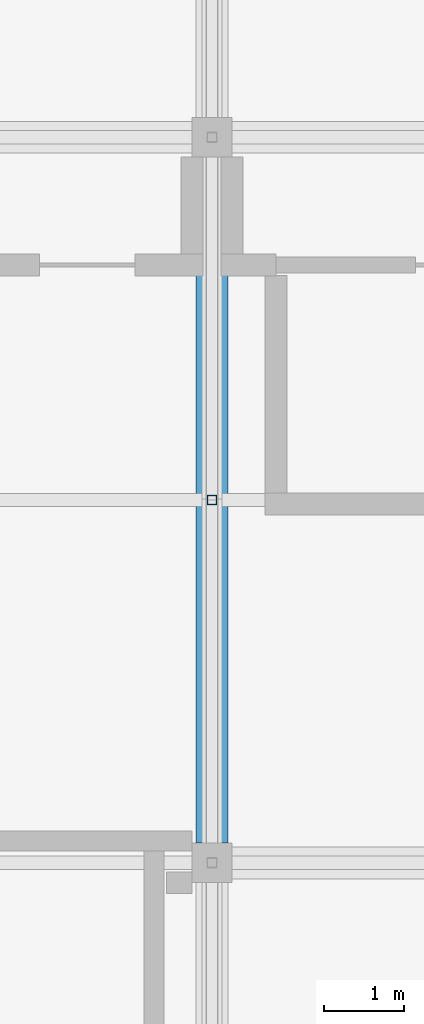
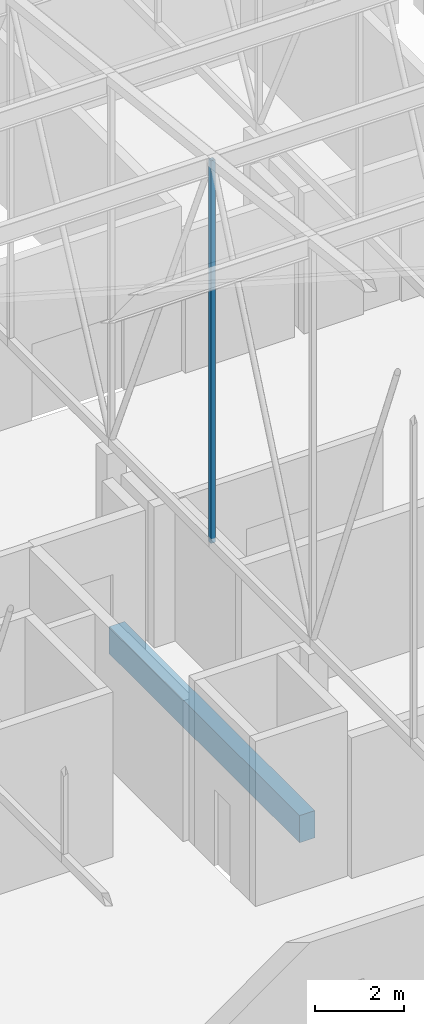
# One storey, part 211 of 500: 1 beam, 1 member.
"""IFC4 building model written with IfcOpenShell, lengths in metres."""

from ifc_helpers import new_model, si_unit, direction, frame, origin, origin_2d, place, context, subcontext, project, spatial, rectangle, hollow_rectangle, extrude, material, material_profile, profile_set, type_object, element, save


model = new_model("IFC4")

# Units and contexts
model_context = context("Model", 3, precision=1e-05, world=origin(), true_north=direction((0.0, 1.0)))
body_context = subcontext(model_context, "Body", "Model", "MODEL_VIEW")
ifc_project = project(units=[si_unit("LENGTHUNIT", "METRE"), si_unit("AREAUNIT", "SQUARE_METRE"), si_unit("VOLUMEUNIT", "CUBIC_METRE"), si_unit("PLANEANGLEUNIT", "RADIAN"), si_unit("MASSUNIT", "GRAM", prefix="KILO")], contexts=[model_context])

# Site, building, storey
site_placement = place(None, origin())
site = spatial("IfcSite", under=ifc_project, at=site_placement, CompositionType="ELEMENT")
building_placement = place(site_placement, origin())
building = spatial("IfcBuilding", under=site, at=building_placement, Name="Shirokan Park Arena", CompositionType="ELEMENT")
storey_placement = place(building_placement, frame((0.0, 0.0, 29.1201171875)))
storey = spatial("IfcBuildingStorey", under=building, at=storey_placement, Name="L06", CompositionType="ELEMENT", Elevation=29.1201171875)

# Beam
ifc_material_1 = material(Name="Concrete C35", Category="concrete")
ifc_material_profile_1 = material_profile(ifc_material_1, rectangle(XDim=0.39990234375, YDim=0.75, at=origin_2d()), Name="400x750")
ifc_profile_set_1 = profile_set([ifc_material_profile_1], Name="Concrete C35")
beam_type = type_object("IfcBeamType", Name="RC girder 400x750", PredefinedType="BEAM", material=ifc_profile_set_1)
beam_placement = place(storey_placement, frame((27.300048828125, 82.150146484375, -0.5751953125), z_axis=(0.0, 1.0, 0.0), x_axis=(-1.0, 0.0, 0.0)))
element("IfcBeam", 1, at=beam_placement, inside=storey, type_object=beam_type, Name="Girder 4K-4L L06", PredefinedType="BEAM", context=body_context, shape_type="SweptSolid", body=[
    extrude(rectangle(XDim=0.39990234375, YDim=0.75, at=origin_2d()), origin(), (0.0, 0.0, 1.0), 8.599853515625),
])

# Member
ifc_material_2 = material(Name="Steel ASTM A500 Grade C", Category="steel")
ifc_material_profile_2 = material_profile(ifc_material_2, hollow_rectangle(XDim=0.114013671875, YDim=0.114013671875, WallThickness=0.00634765625, at=origin_2d()), Name="HSS114.3X114.3X6.4")
ifc_profile_set_2 = profile_set([ifc_material_profile_2], Name="Steel ASTM A500 Grade C")
member_type = type_object("IfcMemberType", Name="Truss post HSS114.3X114.3X6.4", PredefinedType="POST", material=ifc_profile_set_2)
member_placement = place(storey_placement, frame((27.300048828125, 86.449951171875, 4.677001953125), z_axis=(0.0, 0.0, 1.0), x_axis=(1.0, 0.0, 0.0)))
element("IfcMember", 2, at=member_placement, inside=storey, type_object=member_type, Name="Truss T04 post 22", PredefinedType="POST", context=body_context, shape_type="SweptSolid", body=[
    extrude(hollow_rectangle(XDim=0.114013671875, YDim=0.114013671875, WallThickness=0.00634765625, at=origin_2d()), origin(), (0.0, 0.0, 1.0), 10.5458984375),
])

save(model, "model.ifc")
